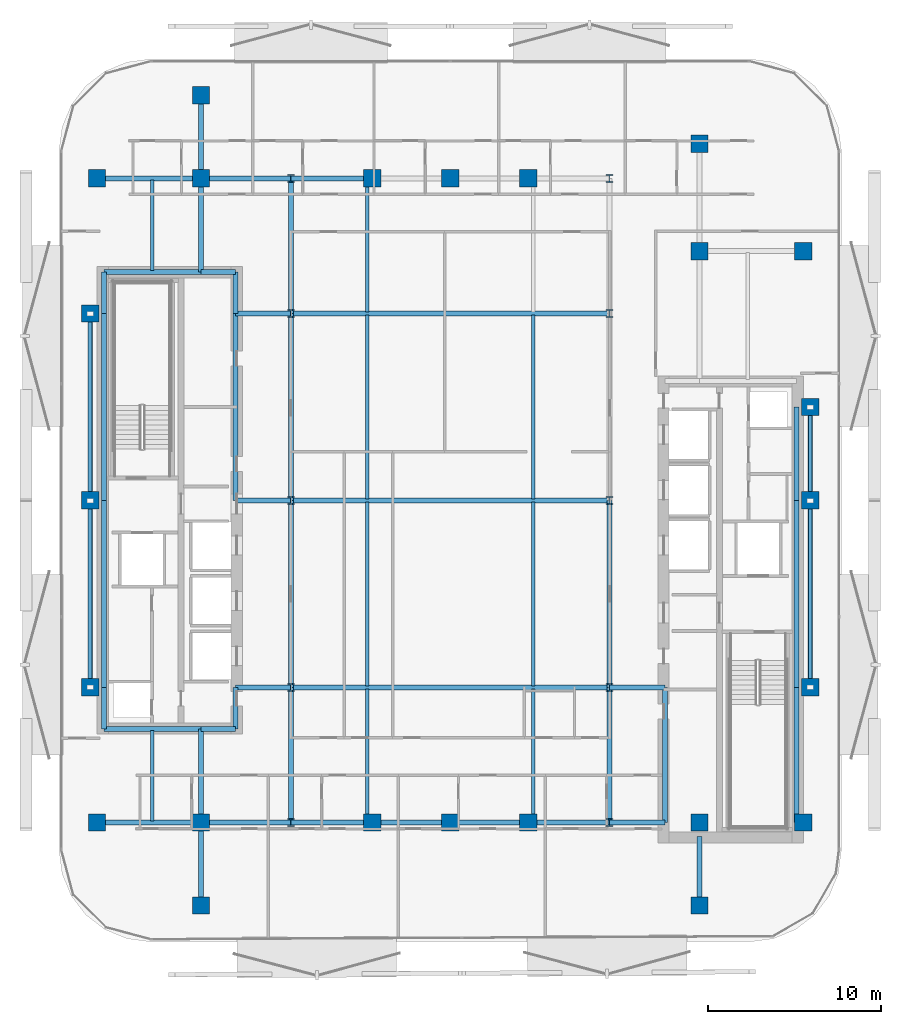
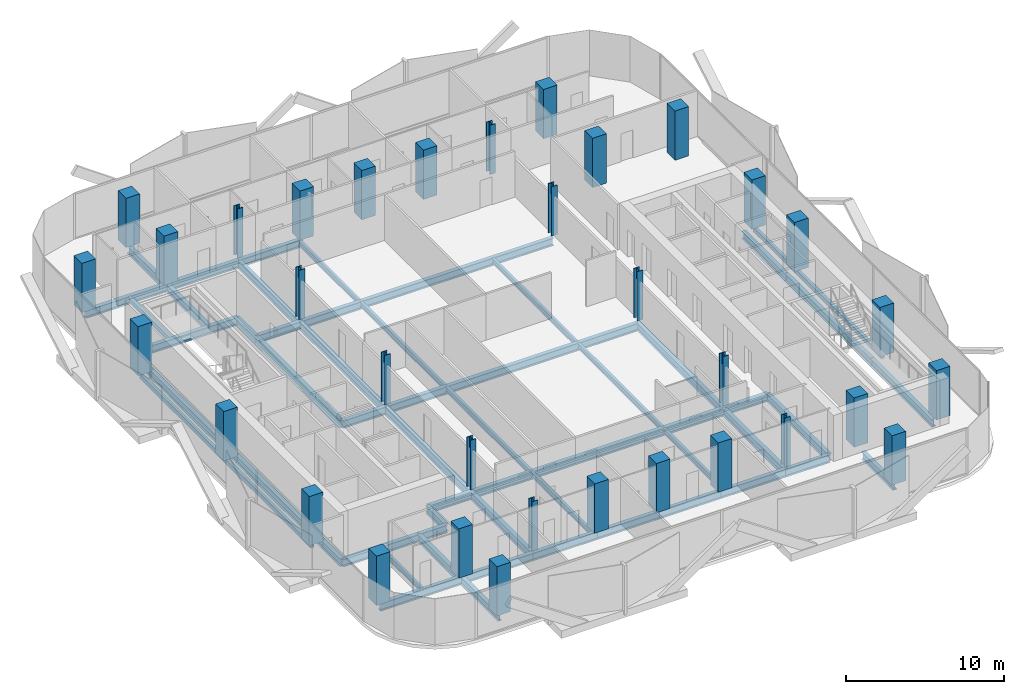
# One storey, part 1 of 17: 56 beams, 34 columns.
"""IFC4 building model written with IfcOpenShell, lengths in metres."""

from ifc_helpers import new_model, si_unit, direction, frame, origin, origin_2d, place, context, subcontext, project, spatial, rectangle, hollow_rectangle, i_section, extrude, material, material_profile, profile_set, type_object, element, save


model = new_model("IFC4")

# Units and contexts
model_context = context("Model", 3, precision=1e-05, world=origin(), true_north=direction((0.0, 1.0)))
body_context = subcontext(model_context, "Body", "Model", "MODEL_VIEW")
ifc_project = project(units=[si_unit("LENGTHUNIT", "METRE"), si_unit("AREAUNIT", "SQUARE_METRE"), si_unit("VOLUMEUNIT", "CUBIC_METRE"), si_unit("PLANEANGLEUNIT", "RADIAN"), si_unit("MASSUNIT", "GRAM", prefix="KILO")], contexts=[model_context])

# Site, building, storey
site_placement = place(None, origin())
site = spatial("IfcSite", under=ifc_project, at=site_placement, CompositionType="ELEMENT")
building_placement = place(site_placement, origin())
building = spatial("IfcBuilding", under=site, at=building_placement, Name="Khairoan Windgate Tower", CompositionType="ELEMENT")
storey_placement = place(building_placement, frame((0.0, 0.0, 191.60009765625)))
storey = spatial("IfcBuildingStorey", under=building, at=storey_placement, Name="L44", CompositionType="ELEMENT", Elevation=191.60009765625)

# Columns
ifc_material_1 = material(Name="Concrete C50/60", Category="concrete")
ifc_material_profile_1 = material_profile(ifc_material_1, rectangle(XDim=1.0, YDim=1.0, at=origin_2d()))
ifc_profile_set_1 = profile_set([ifc_material_profile_1], Name="Concrete C50/60")
column_type_1 = type_object("IfcColumnType", Name="Column C-T4 RC1000x1000", PredefinedType="COLUMN", material=ifc_profile_set_1)
for number, where, z_axis, x_axis, name in (
    (1, (-20.39990234375, -18.60009765625, 0.0), (0.0, 0.0, 1.0), (1.0, 0.0, 0.0), "Column L44-11"),
    (2, (-20.39990234375, 18.60009765625, 0.0), (0.0, 0.0, 1.0), (1.0, 0.0, 0.0), "Column L44-12"),
    (3, (20.39990234375, -18.60009765625, 0.0), (0.0, 0.0, 1.0), (1.0, 0.0, 0.0), "Column L44-13"),
    (4, (20.39990234375, 14.39990234375, 0.0), (0.0, 0.0, 1.0), (1.0, 0.0, 0.0), "Column L44-14"),
    (5, (-14.39990234375, -18.60009765625, 0.0), (0.0, 0.0, 1.0), (1.0, 0.0, 0.0), "Column L44-15"),
    (6, (-14.39990234375, 18.60009765625, 0.0), (0.0, 0.0, 1.0), (1.0, 0.0, 0.0), "Column L44-16"),
    (7, (14.39990234375, -18.60009765625, 0.0), (0.0, 0.0, 1.0), (1.0, 0.0, 0.0), "Column L44-17"),
    (8, (14.39990234375, 14.39990234375, 0.0), (0.0, 0.0, 1.0), (1.0, 0.0, 0.0), "Column L44-18"),
    (9, (-4.5, -18.60009765625, 0.0), (0.0, 0.0, 1.0), (1.0, 0.0, 0.0), "Column L44-19"),
    (10, (0.0, -18.60009765625, 0.0), (0.0, 0.0, 1.0), (1.0, 0.0, 0.0), "Column L44-20"),
    (11, (4.5, -18.60009765625, 0.0), (0.0, 0.0, 1.0), (1.0, 0.0, 0.0), "Column L44-21"),
    (12, (-4.5, 18.60009765625, 0.0), (0.0, 0.0, 1.0), (1.0, 0.0, 0.0), "Column L44-22"),
    (13, (0.0, 18.60009765625, 0.0), (0.0, 0.0, 1.0), (1.0, 0.0, 0.0), "Column L44-23"),
    (14, (4.5, 18.60009765625, 0.0), (0.0, 0.0, 1.0), (1.0, 0.0, 0.0), "Column L44-24"),
    (15, (-20.800048828125, -10.800048828125, 0.0), (0.0, 0.0, 1.0), (1.0, 0.0, 0.0), "Column L44-25"),
    (16, (-20.800048828125, 0.0, 0.0), (0.0, 0.0, 1.0), (1.0, 0.0, 0.0), "Column L44-26"),
    (17, (-20.800048828125, 10.800048828125, 0.0), (0.0, 0.0, 1.0), (1.0, 0.0, 0.0), "Column L44-27"),
    (18, (20.800048828125, -10.800048828125, 0.0), (0.0, 0.0, 1.0), (1.0, 0.0, 0.0), "Column L44-28"),
    (19, (20.800048828125, 0.0, 0.0), (0.0, 0.0, 1.0), (1.0, 0.0, 0.0), "Column L44-29"),
    (20, (20.800048828125, 5.39990234375, 0.0), (0.0, 0.0, 1.0), (1.0, 0.0, 0.0), "Column L44-30"),
    (21, (-14.39990234375, -23.39990234375, 0.0), (0.0, 0.0, 1.0), (1.0, 0.0, 0.0), "Column L44-31"),
    (22, (-14.39990234375, 23.39990234375, 0.0), (0.0, 0.0, 1.0), (1.0, 0.0, 0.0), "Column L44-32"),
    (23, (14.39990234375, -23.39990234375, 0.0), (0.0, 0.0, 1.0), (1.0, 0.0, 0.0), "Column L44-33"),
    (24, (14.39990234375, 20.60009765625, 0.0), (0.0, 0.0, 1.0), (1.0, 0.0, 0.0), "Column L44-34"),
):
    element("IfcColumn", number, at=place(storey_placement, frame(where, z_axis=z_axis, x_axis=x_axis)), inside=storey, type_object=column_type_1, Name=name, PredefinedType="COLUMN", context=body_context, shape_type="SweptSolid", body=[
        extrude(rectangle(XDim=1.0, YDim=1.0, at=origin_2d()), origin(), (0.0, 0.0, 1.0), 3.7998046875),
    ])
ifc_material_2 = material(Name="Steel S355", Category="steel")
ifc_material_profile_2 = material_profile(ifc_material_2, i_section(OverallWidth=0.4169921875, OverallDepth=0.4580078125, WebThickness=0.030029296875, FlangeThickness=0.050048828125, FilletRadius=0.02197265625, at=origin_2d()))
ifc_profile_set_2 = profile_set([ifc_material_profile_2], Name="Steel S355")
column_type_2 = type_object("IfcColumnType", Name="Steel Column SC2 H458x417x30x50", PredefinedType="COLUMN", material=ifc_profile_set_2)
for number, where, z_axis, x_axis, name in (
    (25, (-9.199951171875, -18.60009765625, 0.0), (0.0, 0.0, 1.0), (1.0, 0.0, 0.0), "Column L44-01"),
    (26, (-9.199951171875, -10.800048828125, 0.0), (0.0, 0.0, 1.0), (1.0, 0.0, 0.0), "Column L44-02"),
    (27, (-9.199951171875, 0.0, 0.0), (0.0, 0.0, 1.0), (1.0, 0.0, 0.0), "Column L44-03"),
    (28, (-9.199951171875, 10.800048828125, 0.0), (0.0, 0.0, 1.0), (1.0, 0.0, 0.0), "Column L44-04"),
    (29, (-9.199951171875, 18.60009765625, 0.0), (0.0, 0.0, 1.0), (1.0, 0.0, 0.0), "Column L44-05"),
    (30, (9.199951171875, -18.60009765625, 0.0), (0.0, 0.0, 1.0), (1.0, 0.0, 0.0), "Column L44-06"),
    (31, (9.199951171875, -10.800048828125, 0.0), (0.0, 0.0, 1.0), (1.0, 0.0, 0.0), "Column L44-07"),
    (32, (9.199951171875, 0.0, 0.0), (0.0, 0.0, 1.0), (1.0, 0.0, 0.0), "Column L44-08"),
    (33, (9.199951171875, 10.800048828125, 0.0), (0.0, 0.0, 1.0), (1.0, 0.0, 0.0), "Column L44-09"),
    (34, (9.199951171875, 18.60009765625, 0.0), (0.0, 0.0, 1.0), (1.0, 0.0, 0.0), "Column L44-10"),
):
    element("IfcColumn", number, at=place(storey_placement, frame(where, z_axis=z_axis, x_axis=x_axis)), inside=storey, type_object=column_type_2, Name=name, PredefinedType="COLUMN", context=body_context, shape_type="SweptSolid", body=[
        extrude(i_section(OverallWidth=0.4169921875, OverallDepth=0.4580078125, WebThickness=0.030029296875, FlangeThickness=0.050048828125, FilletRadius=0.02197265625, at=origin_2d()), origin(), (0.0, 0.0, 1.0), 3.7998046875),
    ])

# Beams
ifc_material_3 = material(Name="Steel S355", Category="steel")
ifc_material_profile_3 = material_profile(ifc_material_3, i_section(OverallWidth=0.300048828125, OverallDepth=0.587890625, WebThickness=0.011962890625, FlangeThickness=0.02001953125, FilletRadius=0.02392578125, at=origin_2d()))
ifc_profile_set_3 = profile_set([ifc_material_profile_3], Name="Steel S355")
beam_type_1 = type_object("IfcBeamType", Name="Beam B-G4 H588x300x12x20", PredefinedType="BEAM", material=ifc_profile_set_3)
beam_1_placement = place(storey_placement, frame((-20.39990234375, -18.60009765625, -0.55419921875), z_axis=(1.0, 0.0, 0.0), x_axis=(0.0, 1.0, 0.0)))
element("IfcBeam", 35, at=beam_1_placement, inside=storey, type_object=beam_type_1, Name="L44 E-W Primary Girder 01", PredefinedType="BEAM", context=body_context, shape_type="SweptSolid", body=[
    extrude(i_section(OverallWidth=0.300048828125, OverallDepth=0.587890625, WebThickness=0.011962890625, FlangeThickness=0.02001953125, FilletRadius=0.02392578125, at=origin_2d()), origin(), (0.0, 0.0, 1.0), 6.0),
])
beam_2_placement = place(storey_placement, frame((-14.39990234375, -18.60009765625, -0.55419921875), z_axis=(1.0, 0.0, 0.0), x_axis=(0.0, 1.0, 0.0)))
element("IfcBeam", 36, at=beam_2_placement, inside=storey, type_object=beam_type_1, Name="L44 E-W Primary Girder 02", PredefinedType="BEAM", context=body_context, shape_type="SweptSolid", body=[
    extrude(i_section(OverallWidth=0.300048828125, OverallDepth=0.587890625, WebThickness=0.011962890625, FlangeThickness=0.02001953125, FilletRadius=0.02392578125, at=origin_2d()), origin(), (0.0, 0.0, 1.0), 5.199951171875),
])
beam_3_placement = place(storey_placement, frame((-9.199951171875, -18.60009765625, -0.55419921875), z_axis=(1.0, 0.0, 0.0), x_axis=(0.0, 1.0, 0.0)))
element("IfcBeam", 37, at=beam_3_placement, inside=storey, type_object=beam_type_1, Name="L44 E-W Primary Girder 03", PredefinedType="BEAM", context=body_context, shape_type="SweptSolid", body=[
    extrude(i_section(OverallWidth=0.300048828125, OverallDepth=0.587890625, WebThickness=0.011962890625, FlangeThickness=0.02001953125, FilletRadius=0.02392578125, at=origin_2d()), origin(), (0.0, 0.0, 1.0), 4.699951171875),
])
for number, where, z_axis, x_axis, name in (
    (38, (-4.5, -18.60009765625, -0.55419921875), (1.0, 0.0, 0.0), (0.0, 1.0, 0.0), "L44 E-W Primary Girder 04"),
    (39, (0.0, -18.60009765625, -0.55419921875), (1.0, 0.0, 0.0), (0.0, 1.0, 0.0), "L44 E-W Primary Girder 05"),
):
    element("IfcBeam", number, at=place(storey_placement, frame(where, z_axis=z_axis, x_axis=x_axis)), inside=storey, type_object=beam_type_1, Name=name, PredefinedType="BEAM", context=body_context, shape_type="SweptSolid", body=[
        extrude(i_section(OverallWidth=0.300048828125, OverallDepth=0.587890625, WebThickness=0.011962890625, FlangeThickness=0.02001953125, FilletRadius=0.02392578125, at=origin_2d()), origin(), (0.0, 0.0, 1.0), 4.5),
    ])
beam_4_placement = place(storey_placement, frame((4.5, -18.60009765625, -0.55419921875), z_axis=(1.0, 0.0, 0.0), x_axis=(0.0, 1.0, 0.0)))
element("IfcBeam", 40, at=beam_4_placement, inside=storey, type_object=beam_type_1, Name="L44 E-W Primary Girder 06", PredefinedType="BEAM", context=body_context, shape_type="SweptSolid", body=[
    extrude(i_section(OverallWidth=0.300048828125, OverallDepth=0.587890625, WebThickness=0.011962890625, FlangeThickness=0.02001953125, FilletRadius=0.02392578125, at=origin_2d()), origin(), (0.0, 0.0, 1.0), 4.699951171875),
])
beam_5_placement = place(storey_placement, frame((9.199951171875, -18.60009765625, -0.55419921875), z_axis=(1.0, 0.0, 0.0), x_axis=(0.0, 1.0, 0.0)))
element("IfcBeam", 41, at=beam_5_placement, inside=storey, type_object=beam_type_1, Name="L44 E-W Primary Girder 07", PredefinedType="BEAM", context=body_context, shape_type="SweptSolid", body=[
    extrude(i_section(OverallWidth=0.300048828125, OverallDepth=0.587890625, WebThickness=0.011962890625, FlangeThickness=0.02001953125, FilletRadius=0.02392578125, at=origin_2d()), origin(), (0.0, 0.0, 1.0), 3.199951171875),
])
beam_6_placement = place(storey_placement, frame((-20.0, -13.199951171875, -0.55419921875), z_axis=(1.0, 0.0, 0.0), x_axis=(0.0, 1.0, 0.0)))
element("IfcBeam", 42, at=beam_6_placement, inside=storey, type_object=beam_type_1, Name="L44 E-W Primary Girder 08", PredefinedType="BEAM", context=body_context, shape_type="SweptSolid", body=[
    extrude(i_section(OverallWidth=0.300048828125, OverallDepth=0.587890625, WebThickness=0.011962890625, FlangeThickness=0.02001953125, FilletRadius=0.02392578125, at=origin_2d()), origin(), (0.0, 0.0, 1.0), 5.60009765625),
])
beam_7_placement = place(storey_placement, frame((-14.39990234375, -13.199951171875, -0.55419921875), z_axis=(1.0, 0.0, 0.0), x_axis=(0.0, 1.0, 0.0)))
element("IfcBeam", 43, at=beam_7_placement, inside=storey, type_object=beam_type_1, Name="L44 E-W Primary Girder 09", PredefinedType="BEAM", context=body_context, shape_type="SweptSolid", body=[
    extrude(i_section(OverallWidth=0.300048828125, OverallDepth=0.587890625, WebThickness=0.011962890625, FlangeThickness=0.02001953125, FilletRadius=0.02392578125, at=origin_2d()), origin(), (0.0, 0.0, 1.0), 2.0),
])
beam_8_placement = place(storey_placement, frame((-12.39990234375, -10.800048828125, -0.55419921875), z_axis=(1.0, 0.0, 0.0), x_axis=(0.0, 1.0, 0.0)))
element("IfcBeam", 44, at=beam_8_placement, inside=storey, type_object=beam_type_1, Name="L44 E-W Primary Girder 10", PredefinedType="BEAM", context=body_context, shape_type="SweptSolid", body=[
    extrude(i_section(OverallWidth=0.300048828125, OverallDepth=0.587890625, WebThickness=0.011962890625, FlangeThickness=0.02001953125, FilletRadius=0.02392578125, at=origin_2d()), origin(), (0.0, 0.0, 1.0), 3.199951171875),
])
beam_9_placement = place(storey_placement, frame((-9.199951171875, -10.800048828125, -0.55419921875), z_axis=(1.0, 0.0, 0.0), x_axis=(0.0, 1.0, 0.0)))
element("IfcBeam", 45, at=beam_9_placement, inside=storey, type_object=beam_type_1, Name="L44 E-W Primary Girder 11", PredefinedType="BEAM", context=body_context, shape_type="SweptSolid", body=[
    extrude(i_section(OverallWidth=0.300048828125, OverallDepth=0.587890625, WebThickness=0.011962890625, FlangeThickness=0.02001953125, FilletRadius=0.02392578125, at=origin_2d()), origin(), (0.0, 0.0, 1.0), 18.39990234375),
])
for number, where, z_axis, x_axis, name in (
    (46, (9.199951171875, -10.800048828125, -0.55419921875), (1.0, 0.0, 0.0), (0.0, 1.0, 0.0), "L44 E-W Primary Girder 12"),
    (47, (-12.39990234375, 0.0, -0.55419921875), (1.0, 0.0, 0.0), (0.0, 1.0, 0.0), "L44 E-W Primary Girder 13"),
):
    element("IfcBeam", number, at=place(storey_placement, frame(where, z_axis=z_axis, x_axis=x_axis)), inside=storey, type_object=beam_type_1, Name=name, PredefinedType="BEAM", context=body_context, shape_type="SweptSolid", body=[
        extrude(i_section(OverallWidth=0.300048828125, OverallDepth=0.587890625, WebThickness=0.011962890625, FlangeThickness=0.02001953125, FilletRadius=0.02392578125, at=origin_2d()), origin(), (0.0, 0.0, 1.0), 3.199951171875),
    ])
beam_10_placement = place(storey_placement, frame((-9.199951171875, 0.0, -0.55419921875), z_axis=(1.0, 0.0, 0.0), x_axis=(0.0, 1.0, 0.0)))
element("IfcBeam", 48, at=beam_10_placement, inside=storey, type_object=beam_type_1, Name="L44 E-W Primary Girder 14", PredefinedType="BEAM", context=body_context, shape_type="SweptSolid", body=[
    extrude(i_section(OverallWidth=0.300048828125, OverallDepth=0.587890625, WebThickness=0.011962890625, FlangeThickness=0.02001953125, FilletRadius=0.02392578125, at=origin_2d()), origin(), (0.0, 0.0, 1.0), 18.39990234375),
])
beam_11_placement = place(storey_placement, frame((-12.39990234375, 10.800048828125, -0.55419921875), z_axis=(1.0, 0.0, 0.0), x_axis=(0.0, 1.0, 0.0)))
element("IfcBeam", 49, at=beam_11_placement, inside=storey, type_object=beam_type_1, Name="L44 E-W Primary Girder 17", PredefinedType="BEAM", context=body_context, shape_type="SweptSolid", body=[
    extrude(i_section(OverallWidth=0.300048828125, OverallDepth=0.587890625, WebThickness=0.011962890625, FlangeThickness=0.02001953125, FilletRadius=0.02392578125, at=origin_2d()), origin(), (0.0, 0.0, 1.0), 3.199951171875),
])
beam_12_placement = place(storey_placement, frame((-9.199951171875, 10.800048828125, -0.55419921875), z_axis=(1.0, 0.0, 0.0), x_axis=(0.0, 1.0, 0.0)))
element("IfcBeam", 50, at=beam_12_placement, inside=storey, type_object=beam_type_1, Name="L44 E-W Primary Girder 18", PredefinedType="BEAM", context=body_context, shape_type="SweptSolid", body=[
    extrude(i_section(OverallWidth=0.300048828125, OverallDepth=0.587890625, WebThickness=0.011962890625, FlangeThickness=0.02001953125, FilletRadius=0.02392578125, at=origin_2d()), origin(), (0.0, 0.0, 1.0), 18.39990234375),
])
beam_13_placement = place(storey_placement, frame((-20.0, 13.199951171875, -0.55419921875), z_axis=(1.0, 0.0, 0.0), x_axis=(0.0, 1.0, 0.0)))
element("IfcBeam", 51, at=beam_13_placement, inside=storey, type_object=beam_type_1, Name="L44 E-W Primary Girder 19", PredefinedType="BEAM", context=body_context, shape_type="SweptSolid", body=[
    extrude(i_section(OverallWidth=0.300048828125, OverallDepth=0.587890625, WebThickness=0.011962890625, FlangeThickness=0.02001953125, FilletRadius=0.02392578125, at=origin_2d()), origin(), (0.0, 0.0, 1.0), 5.60009765625),
])
beam_14_placement = place(storey_placement, frame((-14.39990234375, 13.199951171875, -0.55419921875), z_axis=(1.0, 0.0, 0.0), x_axis=(0.0, 1.0, 0.0)))
element("IfcBeam", 52, at=beam_14_placement, inside=storey, type_object=beam_type_1, Name="L44 E-W Primary Girder 20", PredefinedType="BEAM", context=body_context, shape_type="SweptSolid", body=[
    extrude(i_section(OverallWidth=0.300048828125, OverallDepth=0.587890625, WebThickness=0.011962890625, FlangeThickness=0.02001953125, FilletRadius=0.02392578125, at=origin_2d()), origin(), (0.0, 0.0, 1.0), 2.0),
])
beam_15_placement = place(storey_placement, frame((-20.39990234375, 18.60009765625, -0.55419921875), z_axis=(1.0, 0.0, 0.0), x_axis=(0.0, 1.0, 0.0)))
element("IfcBeam", 53, at=beam_15_placement, inside=storey, type_object=beam_type_1, Name="L44 E-W Primary Girder 22", PredefinedType="BEAM", context=body_context, shape_type="SweptSolid", body=[
    extrude(i_section(OverallWidth=0.300048828125, OverallDepth=0.587890625, WebThickness=0.011962890625, FlangeThickness=0.02001953125, FilletRadius=0.02392578125, at=origin_2d()), origin(), (0.0, 0.0, 1.0), 6.0),
])
beam_16_placement = place(storey_placement, frame((-14.39990234375, 18.60009765625, -0.55419921875), z_axis=(1.0, 0.0, 0.0), x_axis=(0.0, 1.0, 0.0)))
element("IfcBeam", 54, at=beam_16_placement, inside=storey, type_object=beam_type_1, Name="L44 E-W Primary Girder 23", PredefinedType="BEAM", context=body_context, shape_type="SweptSolid", body=[
    extrude(i_section(OverallWidth=0.300048828125, OverallDepth=0.587890625, WebThickness=0.011962890625, FlangeThickness=0.02001953125, FilletRadius=0.02392578125, at=origin_2d()), origin(), (0.0, 0.0, 1.0), 5.199951171875),
])
beam_17_placement = place(storey_placement, frame((-9.199951171875, 18.60009765625, -0.55419921875), z_axis=(1.0, 0.0, 0.0), x_axis=(0.0, 1.0, 0.0)))
element("IfcBeam", 55, at=beam_17_placement, inside=storey, type_object=beam_type_1, Name="L44 E-W Primary Girder 24", PredefinedType="BEAM", context=body_context, shape_type="SweptSolid", body=[
    extrude(i_section(OverallWidth=0.300048828125, OverallDepth=0.587890625, WebThickness=0.011962890625, FlangeThickness=0.02001953125, FilletRadius=0.02392578125, at=origin_2d()), origin(), (0.0, 0.0, 1.0), 4.699951171875),
])
beam_18_placement = place(storey_placement, frame((-20.0, -13.199951171875, -0.55419921875), z_axis=(0.0, 1.0, 0.0), x_axis=(-1.0, 0.0, 0.0)))
element("IfcBeam", 56, at=beam_18_placement, inside=storey, type_object=beam_type_1, Name="L44 N-S Primary Beam 30", PredefinedType="BEAM", context=body_context, shape_type="SweptSolid", body=[
    extrude(i_section(OverallWidth=0.300048828125, OverallDepth=0.587890625, WebThickness=0.011962890625, FlangeThickness=0.02001953125, FilletRadius=0.02392578125, at=origin_2d()), origin(), (0.0, 0.0, 1.0), 2.39990234375),
])
for number, where, z_axis, x_axis, name in (
    (57, (-20.0, -10.800048828125, -0.55419921875), (0.0, 1.0, 0.0), (-1.0, 0.0, 0.0), "L44 N-S Primary Beam 31"),
    (58, (-20.0, 0.0, -0.55419921875), (0.0, 1.0, 0.0), (-1.0, 0.0, 0.0), "L44 N-S Primary Beam 32"),
):
    element("IfcBeam", number, at=place(storey_placement, frame(where, z_axis=z_axis, x_axis=x_axis)), inside=storey, type_object=beam_type_1, Name=name, PredefinedType="BEAM", context=body_context, shape_type="SweptSolid", body=[
        extrude(i_section(OverallWidth=0.300048828125, OverallDepth=0.587890625, WebThickness=0.011962890625, FlangeThickness=0.02001953125, FilletRadius=0.02392578125, at=origin_2d()), origin(), (0.0, 0.0, 1.0), 10.800048828125),
    ])
beam_19_placement = place(storey_placement, frame((-20.0, 10.800048828125, -0.55419921875), z_axis=(0.0, 1.0, 0.0), x_axis=(-1.0, 0.0, 0.0)))
element("IfcBeam", 59, at=beam_19_placement, inside=storey, type_object=beam_type_1, Name="L44 N-S Primary Beam 33", PredefinedType="BEAM", context=body_context, shape_type="SweptSolid", body=[
    extrude(i_section(OverallWidth=0.300048828125, OverallDepth=0.587890625, WebThickness=0.011962890625, FlangeThickness=0.02001953125, FilletRadius=0.02392578125, at=origin_2d()), origin(), (0.0, 0.0, 1.0), 2.39990234375),
])
beam_20_placement = place(storey_placement, frame((-14.39990234375, -23.39990234375, -0.55419921875), z_axis=(0.0, 1.0, 0.0), x_axis=(-1.0, 0.0, 0.0)))
element("IfcBeam", 60, at=beam_20_placement, inside=storey, type_object=beam_type_1, Name="L44 N-S Primary Beam 34", PredefinedType="BEAM", context=body_context, shape_type="SweptSolid", body=[
    extrude(i_section(OverallWidth=0.300048828125, OverallDepth=0.587890625, WebThickness=0.011962890625, FlangeThickness=0.02001953125, FilletRadius=0.02392578125, at=origin_2d()), origin(), (0.0, 0.0, 1.0), 4.7998046875),
])
for number, where, z_axis, x_axis, name in (
    (61, (-14.39990234375, -18.60009765625, -0.55419921875), (0.0, 1.0, 0.0), (-1.0, 0.0, 0.0), "L44 N-S Primary Beam 35"),
    (62, (-14.39990234375, 13.199951171875, -0.55419921875), (0.0, 1.0, 0.0), (-1.0, 0.0, 0.0), "L44 N-S Primary Beam 36"),
):
    element("IfcBeam", number, at=place(storey_placement, frame(where, z_axis=z_axis, x_axis=x_axis)), inside=storey, type_object=beam_type_1, Name=name, PredefinedType="BEAM", context=body_context, shape_type="SweptSolid", body=[
        extrude(i_section(OverallWidth=0.300048828125, OverallDepth=0.587890625, WebThickness=0.011962890625, FlangeThickness=0.02001953125, FilletRadius=0.02392578125, at=origin_2d()), origin(), (0.0, 0.0, 1.0), 5.400146484375),
    ])
beam_21_placement = place(storey_placement, frame((-14.39990234375, 18.60009765625, -0.55419921875), z_axis=(0.0, 1.0, 0.0), x_axis=(-1.0, 0.0, 0.0)))
element("IfcBeam", 63, at=beam_21_placement, inside=storey, type_object=beam_type_1, Name="L44 N-S Primary Beam 37", PredefinedType="BEAM", context=body_context, shape_type="SweptSolid", body=[
    extrude(i_section(OverallWidth=0.300048828125, OverallDepth=0.587890625, WebThickness=0.011962890625, FlangeThickness=0.02001953125, FilletRadius=0.02392578125, at=origin_2d()), origin(), (0.0, 0.0, 1.0), 4.7998046875),
])
beam_22_placement = place(storey_placement, frame((-12.39990234375, -13.199951171875, -0.55419921875), z_axis=(0.0, 1.0, 0.0), x_axis=(-1.0, 0.0, 0.0)))
element("IfcBeam", 64, at=beam_22_placement, inside=storey, type_object=beam_type_1, Name="L44 N-S Primary Beam 38", PredefinedType="BEAM", context=body_context, shape_type="SweptSolid", body=[
    extrude(i_section(OverallWidth=0.300048828125, OverallDepth=0.587890625, WebThickness=0.011962890625, FlangeThickness=0.02001953125, FilletRadius=0.02392578125, at=origin_2d()), origin(), (0.0, 0.0, 1.0), 2.39990234375),
])
beam_23_placement = place(storey_placement, frame((-12.39990234375, 0.0, -0.55419921875), z_axis=(0.0, 1.0, 0.0), x_axis=(-1.0, 0.0, 0.0)))
element("IfcBeam", 65, at=beam_23_placement, inside=storey, type_object=beam_type_1, Name="L44 N-S Primary Beam 39", PredefinedType="BEAM", context=body_context, shape_type="SweptSolid", body=[
    extrude(i_section(OverallWidth=0.300048828125, OverallDepth=0.587890625, WebThickness=0.011962890625, FlangeThickness=0.02001953125, FilletRadius=0.02392578125, at=origin_2d()), origin(), (0.0, 0.0, 1.0), 10.800048828125),
])
beam_24_placement = place(storey_placement, frame((-12.39990234375, 10.800048828125, -0.55419921875), z_axis=(0.0, 1.0, 0.0), x_axis=(-1.0, 0.0, 0.0)))
element("IfcBeam", 66, at=beam_24_placement, inside=storey, type_object=beam_type_1, Name="L44 N-S Primary Beam 40", PredefinedType="BEAM", context=body_context, shape_type="SweptSolid", body=[
    extrude(i_section(OverallWidth=0.300048828125, OverallDepth=0.587890625, WebThickness=0.011962890625, FlangeThickness=0.02001953125, FilletRadius=0.02392578125, at=origin_2d()), origin(), (0.0, 0.0, 1.0), 2.39990234375),
])
beam_25_placement = place(storey_placement, frame((-9.199951171875, -18.60009765625, -0.55419921875), z_axis=(0.0, 1.0, 0.0), x_axis=(-1.0, 0.0, 0.0)))
element("IfcBeam", 67, at=beam_25_placement, inside=storey, type_object=beam_type_1, Name="L44 N-S Primary Beam 41", PredefinedType="BEAM", context=body_context, shape_type="SweptSolid", body=[
    extrude(i_section(OverallWidth=0.300048828125, OverallDepth=0.587890625, WebThickness=0.011962890625, FlangeThickness=0.02001953125, FilletRadius=0.02392578125, at=origin_2d()), origin(), (0.0, 0.0, 1.0), 7.800048828125),
])
for number, where, z_axis, x_axis, name in (
    (68, (-9.199951171875, -10.800048828125, -0.55419921875), (0.0, 1.0, 0.0), (-1.0, 0.0, 0.0), "L44 N-S Primary Beam 42"),
    (69, (-9.199951171875, 0.0, -0.55419921875), (0.0, 1.0, 0.0), (-1.0, 0.0, 0.0), "L44 N-S Primary Beam 43"),
):
    element("IfcBeam", number, at=place(storey_placement, frame(where, z_axis=z_axis, x_axis=x_axis)), inside=storey, type_object=beam_type_1, Name=name, PredefinedType="BEAM", context=body_context, shape_type="SweptSolid", body=[
        extrude(i_section(OverallWidth=0.300048828125, OverallDepth=0.587890625, WebThickness=0.011962890625, FlangeThickness=0.02001953125, FilletRadius=0.02392578125, at=origin_2d()), origin(), (0.0, 0.0, 1.0), 10.800048828125),
    ])
for number, where, z_axis, x_axis, name in (
    (70, (-9.199951171875, 10.800048828125, -0.55419921875), (0.0, 1.0, 0.0), (-1.0, 0.0, 0.0), "L44 N-S Primary Beam 44"),
    (71, (9.199951171875, -18.60009765625, -0.55419921875), (0.0, 1.0, 0.0), (-1.0, 0.0, 0.0), "L44 N-S Primary Beam 45"),
):
    element("IfcBeam", number, at=place(storey_placement, frame(where, z_axis=z_axis, x_axis=x_axis)), inside=storey, type_object=beam_type_1, Name=name, PredefinedType="BEAM", context=body_context, shape_type="SweptSolid", body=[
        extrude(i_section(OverallWidth=0.300048828125, OverallDepth=0.587890625, WebThickness=0.011962890625, FlangeThickness=0.02001953125, FilletRadius=0.02392578125, at=origin_2d()), origin(), (0.0, 0.0, 1.0), 7.800048828125),
    ])
beam_26_placement = place(storey_placement, frame((9.199951171875, -10.800048828125, -0.55419921875), z_axis=(0.0, 1.0, 0.0), x_axis=(-1.0, 0.0, 0.0)))
element("IfcBeam", 72, at=beam_26_placement, inside=storey, type_object=beam_type_1, Name="L44 N-S Primary Beam 46", PredefinedType="BEAM", context=body_context, shape_type="SweptSolid", body=[
    extrude(i_section(OverallWidth=0.300048828125, OverallDepth=0.587890625, WebThickness=0.011962890625, FlangeThickness=0.02001953125, FilletRadius=0.02392578125, at=origin_2d()), origin(), (0.0, 0.0, 1.0), 10.800048828125),
])
beam_27_placement = place(storey_placement, frame((12.39990234375, -18.60009765625, -0.55419921875), z_axis=(0.0, 1.0, 0.0), x_axis=(-1.0, 0.0, 0.0)))
element("IfcBeam", 73, at=beam_27_placement, inside=storey, type_object=beam_type_1, Name="L44 N-S Primary Beam 49", PredefinedType="BEAM", context=body_context, shape_type="SweptSolid", body=[
    extrude(i_section(OverallWidth=0.300048828125, OverallDepth=0.587890625, WebThickness=0.011962890625, FlangeThickness=0.02001953125, FilletRadius=0.02392578125, at=origin_2d()), origin(), (0.0, 0.0, 1.0), 7.800048828125),
])
beam_28_placement = place(storey_placement, frame((14.39990234375, -23.39990234375, -0.55419921875), z_axis=(0.0, 1.0, 0.0), x_axis=(-1.0, 0.0, 0.0)))
element("IfcBeam", 74, at=beam_28_placement, inside=storey, type_object=beam_type_1, Name="L44 N-S Primary Beam 50", PredefinedType="BEAM", context=body_context, shape_type="SweptSolid", body=[
    extrude(i_section(OverallWidth=0.300048828125, OverallDepth=0.587890625, WebThickness=0.011962890625, FlangeThickness=0.02001953125, FilletRadius=0.02392578125, at=origin_2d()), origin(), (0.0, 0.0, 1.0), 4.0),
])
beam_29_placement = place(storey_placement, frame((20.0, -18.60009765625, -0.55419921875), z_axis=(0.0, 1.0, 0.0), x_axis=(-1.0, 0.0, 0.0)))
element("IfcBeam", 75, at=beam_29_placement, inside=storey, type_object=beam_type_1, Name="L44 N-S Primary Beam 53", PredefinedType="BEAM", context=body_context, shape_type="SweptSolid", body=[
    extrude(i_section(OverallWidth=0.300048828125, OverallDepth=0.587890625, WebThickness=0.011962890625, FlangeThickness=0.02001953125, FilletRadius=0.02392578125, at=origin_2d()), origin(), (0.0, 0.0, 1.0), 7.800048828125),
])
beam_30_placement = place(storey_placement, frame((20.0, -10.800048828125, -0.55419921875), z_axis=(0.0, 1.0, 0.0), x_axis=(-1.0, 0.0, 0.0)))
element("IfcBeam", 76, at=beam_30_placement, inside=storey, type_object=beam_type_1, Name="L44 N-S Primary Beam 54", PredefinedType="BEAM", context=body_context, shape_type="SweptSolid", body=[
    extrude(i_section(OverallWidth=0.300048828125, OverallDepth=0.587890625, WebThickness=0.011962890625, FlangeThickness=0.02001953125, FilletRadius=0.02392578125, at=origin_2d()), origin(), (0.0, 0.0, 1.0), 10.800048828125),
])
beam_31_placement = place(storey_placement, frame((20.0, 0.0, -0.55419921875), z_axis=(0.0, 1.0, 0.0), x_axis=(-1.0, 0.0, 0.0)))
element("IfcBeam", 77, at=beam_31_placement, inside=storey, type_object=beam_type_1, Name="L44 N-S Primary Beam 55", PredefinedType="BEAM", context=body_context, shape_type="SweptSolid", body=[
    extrude(i_section(OverallWidth=0.300048828125, OverallDepth=0.587890625, WebThickness=0.011962890625, FlangeThickness=0.02001953125, FilletRadius=0.02392578125, at=origin_2d()), origin(), (0.0, 0.0, 1.0), 5.39990234375),
])
ifc_material_4 = material(Name="Steel S355", Category="steel")
ifc_material_profile_4 = material_profile(ifc_material_4, i_section(OverallWidth=0.199951171875, OverallDepth=0.39990234375, WebThickness=0.008056640625, FlangeThickness=0.012939453125, FilletRadius=0.01611328125, at=origin_2d()))
ifc_profile_set_4 = profile_set([ifc_material_profile_4], Name="Steel S355")
beam_type_2 = type_object("IfcBeamType", Name="Beam J-S4 H400x200x8x13", PredefinedType="JOIST", material=ifc_profile_set_4)
for number, where, z_axis, x_axis, name in (
    (78, (-17.199951171875, -18.510009765625, -0.460205078125), (0.0, 1.0, 0.0), (-1.0, 0.0, 0.0), "L44 Secondary Floor Joist 01"),
    (79, (-17.199951171875, 13.2900390625, -0.460205078125), (0.0, 1.0, 0.0), (-1.0, 0.0, 0.0), "L44 Secondary Floor Joist 02"),
):
    element("IfcBeam", number, at=place(storey_placement, frame(where, z_axis=z_axis, x_axis=x_axis)), inside=storey, type_object=beam_type_2, Name=name, PredefinedType="JOIST", context=body_context, shape_type="SweptSolid", body=[
        extrude(i_section(OverallWidth=0.199951171875, OverallDepth=0.39990234375, WebThickness=0.008056640625, FlangeThickness=0.012939453125, FilletRadius=0.01611328125, at=origin_2d()), origin(), (0.0, 0.0, 1.0), 5.219970703125),
    ])
beam_32_placement = place(storey_placement, frame((-4.800048828125, -18.510009765625, -0.460205078125), z_axis=(0.0, 1.0, 0.0), x_axis=(-1.0, 0.0, 0.0)))
element("IfcBeam", 80, at=beam_32_placement, inside=storey, type_object=beam_type_2, Name="L44 Secondary Floor Joist 03", PredefinedType="JOIST", context=body_context, shape_type="SweptSolid", body=[
    extrude(i_section(OverallWidth=0.199951171875, OverallDepth=0.39990234375, WebThickness=0.008056640625, FlangeThickness=0.012939453125, FilletRadius=0.01611328125, at=origin_2d()), origin(), (0.0, 0.0, 1.0), 7.6201171875),
])
for number, where, z_axis, x_axis, name in (
    (81, (-4.800048828125, -10.7099609375, -0.460205078125), (0.0, 1.0, 0.0), (-1.0, 0.0, 0.0), "L44 Secondary Floor Joist 04"),
    (82, (-4.800048828125, 0.090087890625, -0.460205078125), (0.0, 1.0, 0.0), (-1.0, 0.0, 0.0), "L44 Secondary Floor Joist 05"),
):
    element("IfcBeam", number, at=place(storey_placement, frame(where, z_axis=z_axis, x_axis=x_axis)), inside=storey, type_object=beam_type_2, Name=name, PredefinedType="JOIST", context=body_context, shape_type="SweptSolid", body=[
        extrude(i_section(OverallWidth=0.199951171875, OverallDepth=0.39990234375, WebThickness=0.008056640625, FlangeThickness=0.012939453125, FilletRadius=0.01611328125, at=origin_2d()), origin(), (0.0, 0.0, 1.0), 10.619873046875),
    ])
for number, where, z_axis, x_axis, name in (
    (83, (-4.800048828125, 10.889892578125, -0.460205078125), (0.0, 1.0, 0.0), (-1.0, 0.0, 0.0), "L44 Secondary Floor Joist 06"),
    (84, (4.800048828125, -18.510009765625, -0.460205078125), (0.0, 1.0, 0.0), (-1.0, 0.0, 0.0), "L44 Secondary Floor Joist 07"),
):
    element("IfcBeam", number, at=place(storey_placement, frame(where, z_axis=z_axis, x_axis=x_axis)), inside=storey, type_object=beam_type_2, Name=name, PredefinedType="JOIST", context=body_context, shape_type="SweptSolid", body=[
        extrude(i_section(OverallWidth=0.199951171875, OverallDepth=0.39990234375, WebThickness=0.008056640625, FlangeThickness=0.012939453125, FilletRadius=0.01611328125, at=origin_2d()), origin(), (0.0, 0.0, 1.0), 7.6201171875),
    ])
for number, where, z_axis, x_axis, name in (
    (85, (4.800048828125, -10.7099609375, -0.460205078125), (0.0, 1.0, 0.0), (-1.0, 0.0, 0.0), "L44 Secondary Floor Joist 08"),
    (86, (4.800048828125, 0.090087890625, -0.460205078125), (0.0, 1.0, 0.0), (-1.0, 0.0, 0.0), "L44 Secondary Floor Joist 09"),
):
    element("IfcBeam", number, at=place(storey_placement, frame(where, z_axis=z_axis, x_axis=x_axis)), inside=storey, type_object=beam_type_2, Name=name, PredefinedType="JOIST", context=body_context, shape_type="SweptSolid", body=[
        extrude(i_section(OverallWidth=0.199951171875, OverallDepth=0.39990234375, WebThickness=0.008056640625, FlangeThickness=0.012939453125, FilletRadius=0.01611328125, at=origin_2d()), origin(), (0.0, 0.0, 1.0), 10.619873046875),
    ])
ifc_material_5 = material(Name="Steel S355", Category="steel")
ifc_material_profile_5 = material_profile(ifc_material_5, hollow_rectangle(XDim=0.25, YDim=0.35009765625, WallThickness=0.012451171875, InnerFilletRadius=0.012451171875, OuterFilletRadius=0.02490234375, at=origin_2d()))
ifc_profile_set_5 = profile_set([ifc_material_profile_5], Name="Steel S355")
beam_type_3 = type_object("IfcBeamType", Name="Beam SP-B2 RHS350x250x12.5", PredefinedType="SPANDREL", material=ifc_profile_set_5)
for number, where, z_axis, x_axis, name in (
    (87, (-20.800048828125, -10.800048828125, -0.43505859375), (0.0, 1.0, 0.0), (-1.0, 0.0, 0.0), "L44 Spandrel Beam 28"),
    (88, (-20.800048828125, 0.0, -0.43505859375), (0.0, 1.0, 0.0), (-1.0, 0.0, 0.0), "L44 Spandrel Beam 29"),
    (89, (20.800048828125, -10.800048828125, -0.43505859375), (0.0, 1.0, 0.0), (-1.0, 0.0, 0.0), "L44 Spandrel Beam 56"),
):
    element("IfcBeam", number, at=place(storey_placement, frame(where, z_axis=z_axis, x_axis=x_axis)), inside=storey, type_object=beam_type_3, Name=name, PredefinedType="SPANDREL", context=body_context, shape_type="SweptSolid", body=[
        extrude(hollow_rectangle(XDim=0.25, YDim=0.35009765625, WallThickness=0.012451171875, InnerFilletRadius=0.012451171875, OuterFilletRadius=0.02490234375, at=origin_2d()), origin(), (0.0, 0.0, 1.0), 10.800048828125),
    ])
beam_33_placement = place(storey_placement, frame((20.800048828125, 0.0, -0.43505859375), z_axis=(0.0, 1.0, 0.0), x_axis=(-1.0, 0.0, 0.0)))
element("IfcBeam", 90, at=beam_33_placement, inside=storey, type_object=beam_type_3, Name="L44 Spandrel Beam 57", PredefinedType="SPANDREL", context=body_context, shape_type="SweptSolid", body=[
    extrude(hollow_rectangle(XDim=0.25, YDim=0.35009765625, WallThickness=0.012451171875, InnerFilletRadius=0.012451171875, OuterFilletRadius=0.02490234375, at=origin_2d()), origin(), (0.0, 0.0, 1.0), 5.39990234375),
])

save(model, "model.ifc")
